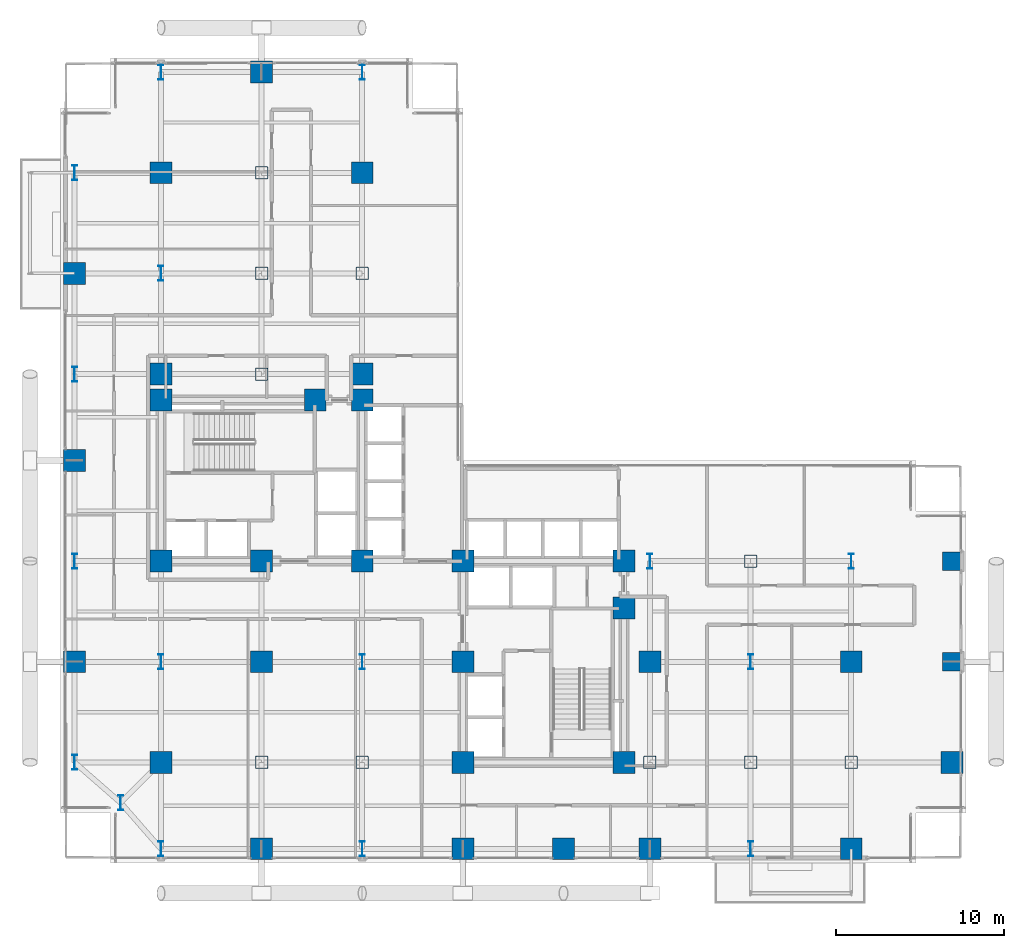
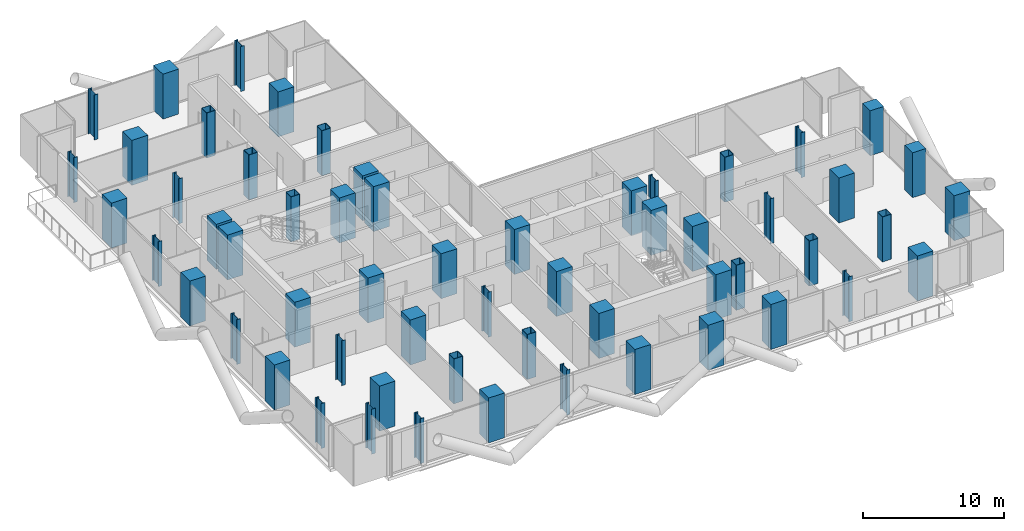
# One storey, part 1 of 27: 58 columns.
"""IFC4 building model written with IfcOpenShell, lengths in metres."""

from ifc_helpers import new_model, si_unit, direction, frame, origin, origin_2d, place, context, subcontext, project, spatial, rectangle, hollow_rectangle, i_section, extrude, material, material_profile, profile_set, type_object, element, save


model = new_model("IFC4")

# Units and contexts
model_context = context("Model", 3, precision=1e-05, world=origin(), true_north=direction((0.0, 1.0)))
body_context = subcontext(model_context, "Body", "Model", "MODEL_VIEW")
ifc_project = project(units=[si_unit("LENGTHUNIT", "METRE"), si_unit("AREAUNIT", "SQUARE_METRE"), si_unit("VOLUMEUNIT", "CUBIC_METRE"), si_unit("PLANEANGLEUNIT", "RADIAN"), si_unit("MASSUNIT", "GRAM", prefix="KILO"), si_unit("THERMODYNAMICTEMPERATUREUNIT", "KELVIN"), si_unit("POWERUNIT", "WATT")], contexts=[model_context])

# Site, building, storey
site_placement = place(None, origin())
site = spatial("IfcSite", under=ifc_project, at=site_placement, CompositionType="ELEMENT")
building_placement = place(site_placement, origin())
building = spatial("IfcBuilding", under=site, at=building_placement, Name="Svarakhadi Broadcast Tower", CompositionType="ELEMENT")
storey_placement = place(building_placement, frame((0.0, 0.0, 90.89990234375)))
storey = spatial("IfcBuildingStorey", under=building, at=storey_placement, Name="L21", CompositionType="ELEMENT", Elevation=90.89990234375)

# Columns
ifc_material_1 = material(Name="Steel S460ML (IS 2062 E450BR)", Category="steel")
ifc_material_profile_1 = material_profile(ifc_material_1, hollow_rectangle(XDim=0.75, YDim=0.75, WallThickness=0.034912109375, InnerFilletRadius=0.034912109375, OuterFilletRadius=0.050048828125, at=origin_2d()), Name="BOX 750x750x35")
ifc_profile_set_1 = profile_set([ifc_material_profile_1], Name="Steel S460ML (IS 2062 E450BR)")
column_type_1 = type_object("IfcColumnType", Name="Col_BOX750", PredefinedType="COLUMN", material=ifc_profile_set_1)
for number, where, z_axis, x_axis, name in (
    (1, (12.0, 6.0, 0.0), (0.0, 0.0, 1.0), (1.0, 0.0, 0.0), "L21 Column G19"),
    (2, (12.0, 29.14990234375, 0.0), (0.0, 0.0, 1.0), (1.0, 0.0, 0.0), "L21 Column G21"),
    (3, (12.0, 35.14990234375, 0.0), (0.0, 0.0, 1.0), (1.0, 0.0, 0.0), "L21 Column G22"),
    (4, (12.0, 41.14990234375, 0.0), (0.0, 0.0, 1.0), (1.0, 0.0, 0.0), "L21 Column G23"),
    (5, (18.0, 6.0, 0.0), (0.0, 0.0, 1.0), (1.0, 0.0, 0.0), "L21 Column G26"),
    (6, (18.0, 35.14990234375, 0.0), (0.0, 0.0, 1.0), (1.0, 0.0, 0.0), "L21 Column G29"),
    (7, (35.14990234375, 6.0, 0.0), (0.0, 0.0, 1.0), (1.0, 0.0, 0.0), "L21 Column G39"),
    (8, (41.14990234375, 6.0, 0.0), (0.0, 0.0, 1.0), (1.0, 0.0, 0.0), "L21 Column G44"),
    (9, (41.14990234375, 18.0, 0.0), (0.0, 0.0, 1.0), (1.0, 0.0, 0.0), "L21 Column G46"),
    (10, (47.14990234375, 6.0, 0.0), (0.0, 0.0, 1.0), (1.0, 0.0, 0.0), "L21 Column G51"),
):
    element("IfcColumn", number, at=place(storey_placement, frame(where, z_axis=z_axis, x_axis=x_axis)), inside=storey, type_object=column_type_1, Name=name, PredefinedType="COLUMN", context=body_context, shape_type="SweptSolid", body=[
        extrude(hollow_rectangle(XDim=0.75, YDim=0.75, WallThickness=0.034912109375, InnerFilletRadius=0.034912109375, OuterFilletRadius=0.050048828125, at=origin_2d()), origin(), (0.0, 0.0, 1.0), 3.900146484375),
    ])
ifc_material_2 = material(Name="Concrete C50/60 (IS 456 M60)", Category="concrete")
ifc_material_profile_2 = material_profile(ifc_material_2, rectangle(XDim=1.10009765625, YDim=1.10009765625, at=origin_2d()), Name="RC 1100x1100")
ifc_profile_set_2 = profile_set([ifc_material_profile_2], Name="Concrete C50/60 (IS 456 M60)")
column_type_2 = type_object("IfcColumnType", Name="Col_RC1100", PredefinedType="COLUMN", material=ifc_profile_set_2)
for number, where, z_axis, x_axis, name in (
    (11, (53.14990234375, 12.0, 0.0), (0.0, 0.0, 1.0), (1.0, 0.0, 0.0), "L21 Zone-1 East Stack Column ZT02"),
    (12, (53.14990234375, 18.0, 0.0), (0.0, 0.0, 1.0), (1.0, 0.0, 0.0), "L21 Zone-1 East Stack Column ZT03"),
):
    element("IfcColumn", number, at=place(storey_placement, frame(where, z_axis=z_axis, x_axis=x_axis)), inside=storey, type_object=column_type_2, Name=name, PredefinedType="COLUMN", context=body_context, shape_type="SweptSolid", body=[
        extrude(rectangle(XDim=1.10009765625, YDim=1.10009765625, at=origin_2d()), origin(), (0.0, 0.0, 1.0), 3.900146484375),
    ])
ifc_material_3 = material(Name="Concrete C60/75 (IS 456 M70)", Category="concrete")
ifc_material_profile_3 = material_profile(ifc_material_3, rectangle(XDim=1.300048828125, YDim=1.300048828125, at=origin_2d()), Name="RC 1300x1300")
ifc_profile_set_3 = profile_set([ifc_material_profile_3], Name="Concrete C60/75 (IS 456 M70)")
column_type_3 = type_object("IfcColumnType", Name="Col_RC1300", PredefinedType="COLUMN", material=ifc_profile_set_3)
for number, where, z_axis, x_axis, name in (
    (13, (6.0, 18.0, 0.0), (0.0, 0.0, 1.0), (1.0, 0.0, 0.0), "L21 Column CW1"),
    (14, (12.0, 18.0, 0.0), (0.0, 0.0, 1.0), (1.0, 0.0, 0.0), "L21 Column CW2"),
    (15, (18.0, 18.0, 0.0), (0.0, 0.0, 1.0), (1.0, 0.0, 0.0), "L21 Column CW3"),
    (16, (6.0, 27.60009765625, 0.0), (0.0, 0.0, 1.0), (1.0, 0.0, 0.0), "L21 Column CW4"),
    (17, (15.199951171875, 27.60009765625, 0.0), (0.0, 0.0, 1.0), (1.0, 0.0, 0.0), "L21 Column CW5"),
    (18, (18.0, 27.60009765625, 0.0), (0.0, 0.0, 1.0), (1.0, 0.0, 0.0), "L21 Column CW6"),
    (19, (24.0, 6.0, 0.0), (0.0, 0.0, 1.0), (1.0, 0.0, 0.0), "L21 Column CE1"),
    (20, (24.0, 12.0, 0.0), (0.0, 0.0, 1.0), (1.0, 0.0, 0.0), "L21 Column CE2"),
    (21, (24.0, 18.0, 0.0), (0.0, 0.0, 1.0), (1.0, 0.0, 0.0), "L21 Column CE3"),
    (22, (33.60009765625, 6.0, 0.0), (0.0, 0.0, 1.0), (1.0, 0.0, 0.0), "L21 Column CE4"),
    (23, (33.60009765625, 15.199951171875, 0.0), (0.0, 0.0, 1.0), (1.0, 0.0, 0.0), "L21 Column CE5"),
    (24, (33.60009765625, 18.0, 0.0), (0.0, 0.0, 1.0), (1.0, 0.0, 0.0), "L21 Column CE6"),
    (25, (0.85009765625, 12.0, 0.0), (0.0, 0.0, 1.0), (1.0, 0.0, 0.0), "L21 Column G04"),
    (26, (0.85009765625, 24.0, 0.0), (0.0, 0.0, 1.0), (1.0, 0.0, 0.0), "L21 Column G06"),
    (27, (0.85009765625, 35.14990234375, 0.0), (0.0, 0.0, 1.0), (1.0, 0.0, 0.0), "L21 Column G08"),
    (28, (6.0, 6.0, 0.0), (0.0, 0.0, 1.0), (1.0, 0.0, 0.0), "L21 Column G12"),
    (29, (6.0, 29.14990234375, 0.0), (0.0, 0.0, 1.0), (1.0, 0.0, 0.0), "L21 Column G14"),
    (30, (6.0, 41.14990234375, 0.0), (0.0, 0.0, 1.0), (1.0, 0.0, 0.0), "L21 Column G16"),
    (31, (12.0, 0.85009765625, 0.0), (0.0, 0.0, 1.0), (1.0, 0.0, 0.0), "L21 Column G18"),
    (32, (12.0, 12.0, 0.0), (0.0, 0.0, 1.0), (1.0, 0.0, 0.0), "L21 Column G20"),
    (33, (12.0, 47.14990234375, 0.0), (0.0, 0.0, 1.0), (1.0, 0.0, 0.0), "L21 Column G24"),
    (34, (18.0, 29.14990234375, 0.0), (0.0, 0.0, 1.0), (1.0, 0.0, 0.0), "L21 Column G28"),
    (35, (18.0, 41.14990234375, 0.0), (0.0, 0.0, 1.0), (1.0, 0.0, 0.0), "L21 Column G30"),
    (36, (24.0, 0.85009765625, 0.0), (0.0, 0.0, 1.0), (1.0, 0.0, 0.0), "L21 Column G32"),
    (37, (30.0, 0.85009765625, 0.0), (0.0, 0.0, 1.0), (1.0, 0.0, 0.0), "L21 Column G36"),
    (38, (35.14990234375, 0.85009765625, 0.0), (0.0, 0.0, 1.0), (1.0, 0.0, 0.0), "L21 Column G38"),
    (39, (35.14990234375, 12.0, 0.0), (0.0, 0.0, 1.0), (1.0, 0.0, 0.0), "L21 Column G40"),
    (40, (47.14990234375, 0.85009765625, 0.0), (0.0, 0.0, 1.0), (1.0, 0.0, 0.0), "L21 Column G50"),
    (41, (47.14990234375, 12.0, 0.0), (0.0, 0.0, 1.0), (1.0, 0.0, 0.0), "L21 Column G52"),
    (42, (53.14990234375, 6.0, 0.0), (0.0, 0.0, 1.0), (1.0, 0.0, 0.0), "L21 Column G58"),
):
    element("IfcColumn", number, at=place(storey_placement, frame(where, z_axis=z_axis, x_axis=x_axis)), inside=storey, type_object=column_type_3, Name=name, PredefinedType="COLUMN", context=body_context, shape_type="SweptSolid", body=[
        extrude(rectangle(XDim=1.300048828125, YDim=1.300048828125, at=origin_2d()), origin(), (0.0, 0.0, 1.0), 3.900146484375),
    ])
ifc_material_profile_4 = material_profile(ifc_material_1, i_section(OverallWidth=0.300048828125, OverallDepth=0.89990234375, WebThickness=0.0185546875, FlangeThickness=0.034912109375, FilletRadius=0.030029296875, at=origin_2d()), Name="WPB 900x300x291")
ifc_profile_set_4 = profile_set([ifc_material_profile_4], Name="Steel S460ML (IS 2062 E450BR)")
column_type_4 = type_object("IfcColumnType", Name="Col_WPB900", PredefinedType="COLUMN", material=ifc_profile_set_4)
for number, where, z_axis, x_axis, name in (
    (43, (3.60009765625, 3.60009765625, 0.0), (0.0, 0.0, 1.0), (1.0, 0.0, 0.0), "L21 Column G01"),
    (44, (0.85009765625, 6.0, 0.0), (0.0, 0.0, 1.0), (1.0, 0.0, 0.0), "L21 Column G03"),
    (45, (0.85009765625, 18.0, 0.0), (0.0, 0.0, 1.0), (1.0, 0.0, 0.0), "L21 Column G05"),
    (46, (0.85009765625, 29.14990234375, 0.0), (0.0, 0.0, 1.0), (1.0, 0.0, 0.0), "L21 Column G07"),
    (47, (0.85009765625, 41.14990234375, 0.0), (0.0, 0.0, 1.0), (1.0, 0.0, 0.0), "L21 Column G09"),
    (48, (6.0, 0.85009765625, 0.0), (0.0, 0.0, 1.0), (1.0, 0.0, 0.0), "L21 Column G11"),
    (49, (6.0, 12.0, 0.0), (0.0, 0.0, 1.0), (1.0, 0.0, 0.0), "L21 Column G13"),
    (50, (6.0, 35.14990234375, 0.0), (0.0, 0.0, 1.0), (1.0, 0.0, 0.0), "L21 Column G15"),
    (51, (6.0, 47.14990234375, 0.0), (0.0, 0.0, 1.0), (1.0, 0.0, 0.0), "L21 Column G17"),
    (52, (18.0, 0.85009765625, 0.0), (0.0, 0.0, 1.0), (1.0, 0.0, 0.0), "L21 Column G25"),
    (53, (18.0, 12.0, 0.0), (0.0, 0.0, 1.0), (1.0, 0.0, 0.0), "L21 Column G27"),
    (54, (18.0, 47.14990234375, 0.0), (0.0, 0.0, 1.0), (1.0, 0.0, 0.0), "L21 Column G31"),
    (55, (35.14990234375, 18.0, 0.0), (0.0, 0.0, 1.0), (1.0, 0.0, 0.0), "L21 Column G41"),
    (56, (41.14990234375, 0.85009765625, 0.0), (0.0, 0.0, 1.0), (1.0, 0.0, 0.0), "L21 Column G43"),
    (57, (41.14990234375, 12.0, 0.0), (0.0, 0.0, 1.0), (1.0, 0.0, 0.0), "L21 Column G45"),
    (58, (47.14990234375, 18.0, 0.0), (0.0, 0.0, 1.0), (1.0, 0.0, 0.0), "L21 Column G53"),
):
    element("IfcColumn", number, at=place(storey_placement, frame(where, z_axis=z_axis, x_axis=x_axis)), inside=storey, type_object=column_type_4, Name=name, PredefinedType="COLUMN", context=body_context, shape_type="SweptSolid", body=[
        extrude(i_section(OverallWidth=0.300048828125, OverallDepth=0.89990234375, WebThickness=0.0185546875, FlangeThickness=0.034912109375, FilletRadius=0.030029296875, at=origin_2d()), origin(), (0.0, 0.0, 1.0), 3.900146484375),
    ])

save(model, "model.ifc")
